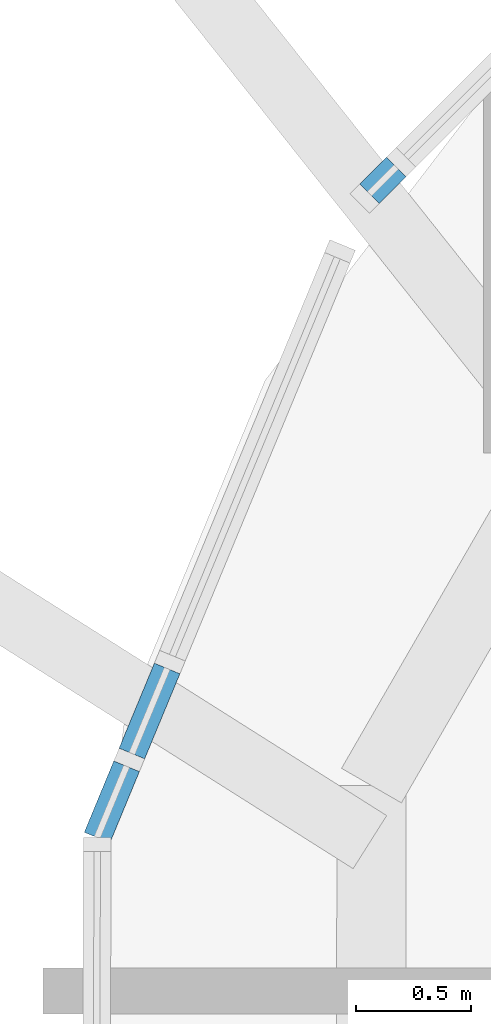
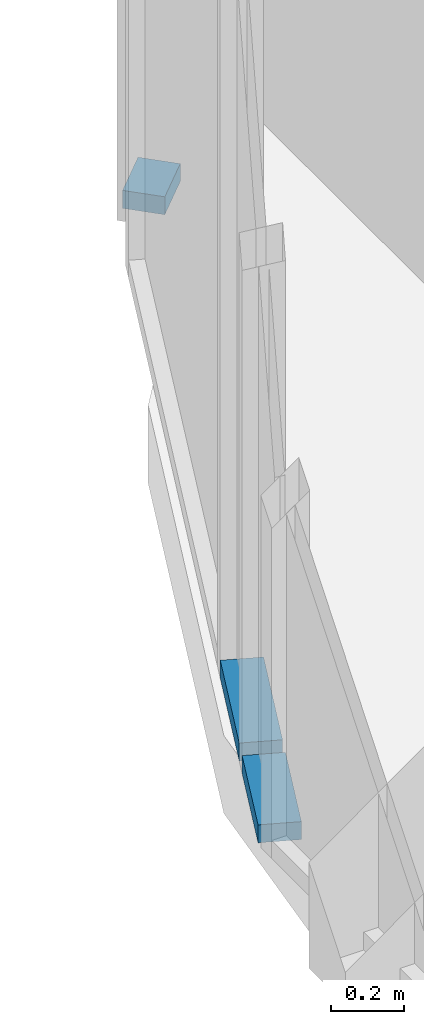
# One storey, part 17 of 36: 3 members, 3 elements without a shape of their own.
"""IFC4 building model written with IfcOpenShell, lengths in metres."""

from ifc_helpers import new_model, si_unit, direction, frame, origin, origin_2d, place, context, subcontext, project, spatial, rectangle, extrude, material, layer, layer_set, material_profile, profile_set, type_object, element, aggregate, save


model = new_model("IFC4")

# Units and contexts
model_context = context("Model", 3, precision=1e-05, world=origin(), true_north=direction((0.0, 1.0)))
body_context = subcontext(model_context, "Body", "Model", "MODEL_VIEW")
ifc_project = project(units=[si_unit("LENGTHUNIT", "METRE"), si_unit("AREAUNIT", "SQUARE_METRE"), si_unit("VOLUMEUNIT", "CUBIC_METRE"), si_unit("PLANEANGLEUNIT", "RADIAN"), si_unit("MASSUNIT", "GRAM", prefix="KILO")], contexts=[model_context])

# Site, building, storey
site_placement = place(None, origin())
site = spatial("IfcSite", under=ifc_project, at=site_placement, CompositionType="ELEMENT")
building_placement = place(site_placement, origin())
building = spatial("IfcBuilding", under=site, at=building_placement, Name="Marenta Gate Hotel Tower", CompositionType="ELEMENT")
storey_placement = place(building_placement, frame((0.0, 0.0, 130.10009765625)))
storey = spatial("IfcBuildingStorey", under=building, at=storey_placement, Name="L29", CompositionType="ELEMENT", Elevation=130.10009765625)

# Curtain wall, member
ifc_material_1 = material(Name="Tinted insulated glass in bronze anodised frame", Category="glass")
ifc_layer = layer(ifc_material_1, 0.1201171875)
ifc_layer_set = layer_set([ifc_layer], Name="Tinted insulated glass in bronze anodised frame")
curtain_wall_type = type_object("IfcCurtainWallType", Name="Tower unitised curtain wall CW1", PredefinedType="NOTDEFINED", material=ifc_layer_set)
curtain_wall_1_placement = place(storey_placement, origin())
curtain_wall_1 = element("IfcCurtainWall", 1, at=curtain_wall_1_placement, inside=storey, type_object=curtain_wall_type, Name="CW1 run G02", PredefinedType="NOTDEFINED")
ifc_material_2 = material(Name="Bronze anodised aluminium", Category="aluminium")
ifc_material_profile = material_profile(ifc_material_2, rectangle(XDim=0.1201171875, YDim=0.06005859375, at=origin_2d()), Name="Transom CW1 60x120 bronze anodised aluminium")
ifc_profile_set = profile_set([ifc_material_profile], Name="Bronze anodised aluminium")
member_type = type_object("IfcMemberType", Name="Transom CW1 60x120 bronze anodised aluminium", PredefinedType="USERDEFINED", material=ifc_profile_set)
member_1_placement = place(storey_placement, frame((-26.013671875, 25.977294921875, 0.02978515625), z_axis=(-0.706364412476, -0.707848371325, 0.0), x_axis=(0.707848371325, -0.706364412476, 0.0)))
member_1 = element("IfcMember", 2, at=member_1_placement, type_object=member_type, Name="CW1 transom 1.1", ObjectType="TRANSOM", PredefinedType="USERDEFINED", context=body_context, shape_type="SweptSolid", body=[
    extrude(rectangle(XDim=0.1201171875, YDim=0.06005859375, at=origin_2d()), origin(), (0.0, 0.0, 1.0), 0.16455078125),
])
aggregate(curtain_wall_1, [member_1])

curtain_wall_2_placement = place(storey_placement, origin())
curtain_wall_2 = element("IfcCurtainWall", 3, at=curtain_wall_2_placement, inside=storey, type_object=curtain_wall_type, Name="CW1 run G04", PredefinedType="NOTDEFINED")
member_2_placement = place(storey_placement, frame((-27.00830078125, 23.80029296875, 0.02978515625), z_axis=(-0.382837108959, -0.923815862607, 0.0), x_axis=(0.923815862607, -0.382837108959, 0.0)))
member_2 = element("IfcMember", 4, at=member_2_placement, type_object=member_type, Name="CW1 transom 1.1", ObjectType="TRANSOM", PredefinedType="USERDEFINED", context=body_context, shape_type="SweptSolid", body=[
    extrude(rectangle(XDim=0.1201171875, YDim=0.06005859375, at=origin_2d()), origin(), (0.0, 0.0, 1.0), 0.39990234375),
])
aggregate(curtain_wall_2, [member_2])

curtain_wall_3_placement = place(storey_placement, origin())
curtain_wall_3 = element("IfcCurtainWall", 5, at=curtain_wall_3_placement, inside=storey, type_object=curtain_wall_type, Name="CW1 run G05", PredefinedType="NOTDEFINED")
member_3_placement = place(storey_placement, frame((-27.184326171875, 23.37548828125, 0.02978515625), z_axis=(-0.382179999859, -0.924087900423, 0.0), x_axis=(0.924087900423, -0.382179999859, 0.0)))
member_3 = element("IfcMember", 6, at=member_3_placement, type_object=member_type, Name="CW1 transom 1.1", ObjectType="TRANSOM", PredefinedType="USERDEFINED", context=body_context, shape_type="SweptSolid", body=[
    extrude(rectangle(XDim=0.1201171875, YDim=0.06005859375, at=origin_2d()), origin(), (0.0, 0.0, 1.0), 0.334716796875),
])
aggregate(curtain_wall_3, [member_3])

save(model, "model.ifc")
